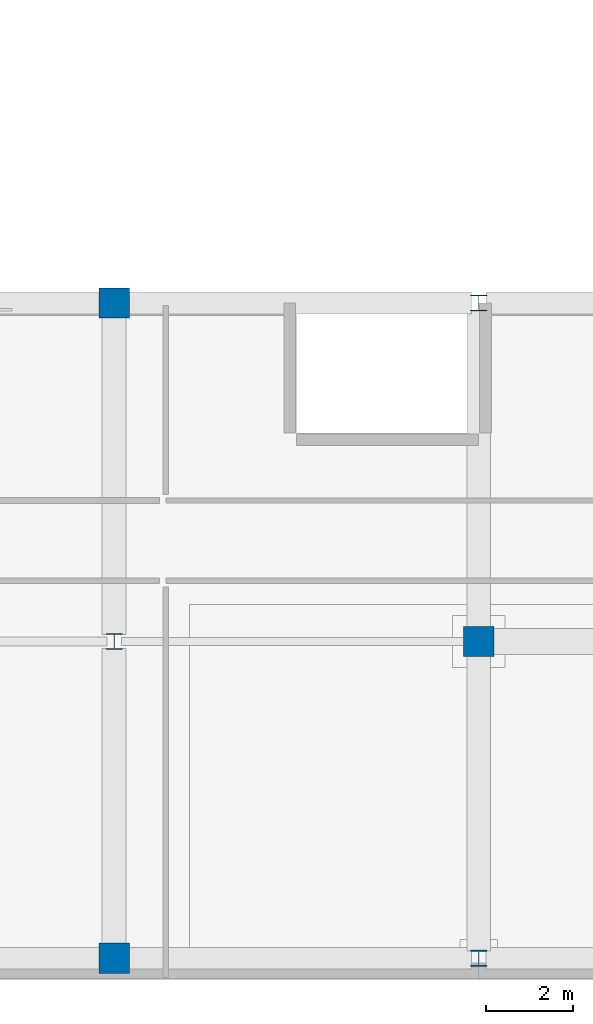
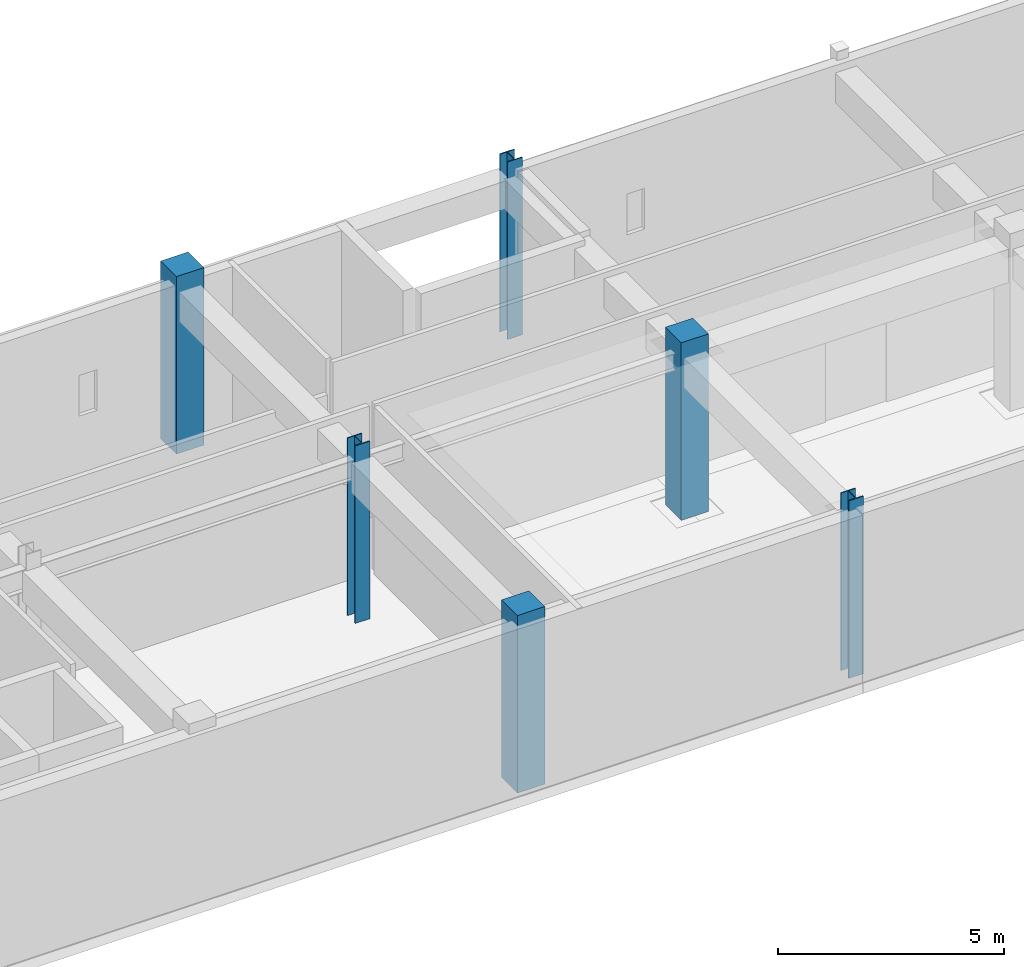
# One storey, part 2 of 123: 6 columns.
"""IFC4 building model written with IfcOpenShell, lengths in metres."""

from ifc_helpers import new_model, si_unit, direction, frame, origin, origin_2d, place, context, subcontext, project, spatial, rectangle, i_section, extrude, material, material_profile, profile_set, type_object, element, save


model = new_model("IFC4")

# Units and contexts
model_context = context("Model", 3, precision=1e-05, world=origin(), true_north=direction((0.0, 1.0)))
body_context = subcontext(model_context, "Body", "Model", "MODEL_VIEW")
ifc_project = project(units=[si_unit("LENGTHUNIT", "METRE"), si_unit("AREAUNIT", "SQUARE_METRE"), si_unit("VOLUMEUNIT", "CUBIC_METRE"), si_unit("PLANEANGLEUNIT", "RADIAN"), si_unit("MASSUNIT", "GRAM", prefix="KILO")], contexts=[model_context])

# Site, building, storey
site_placement = place(None, origin())
site = spatial("IfcSite", under=ifc_project, at=site_placement, CompositionType="ELEMENT")
building_placement = place(site_placement, origin())
building = spatial("IfcBuilding", under=site, at=building_placement, Name="Quendrovan Civic Courthouse", CompositionType="ELEMENT")
storey_placement = place(building_placement, frame((0.0, 0.0, 5.39990234375)))
storey = spatial("IfcBuildingStorey", under=building, at=storey_placement, Name="L02", CompositionType="ELEMENT", Elevation=5.39990234375)

# Columns
ifc_material_1 = material(Name="Concrete C45/55", Category="concrete")
ifc_material_profile_1 = material_profile(ifc_material_1, rectangle(XDim=0.699951171875, YDim=0.699951171875, at=origin_2d()), Name="RC-COL-700x700")
ifc_profile_set_1 = profile_set([ifc_material_profile_1], Name="Concrete C45/55")
column_type_1 = type_object("IfcColumnType", Name="COL-RC700", PredefinedType="COLUMN", material=ifc_profile_set_1)
for number, where, z_axis, x_axis, name in (
    (1, (50.39990234375, 0.5, 0.0), (0.0, 0.0, 1.0), (1.0, 0.0, 0.0), "L02 Column 7-A"),
    (2, (50.39990234375, 15.60009765625, 0.0), (0.0, 0.0, 1.0), (1.0, 0.0, 0.0), "L02 Column 7-C"),
    (3, (58.800048828125, 7.800048828125, 0.0), (0.0, 0.0, 1.0), (1.0, 0.0, 0.0), "L02 Column 8-B"),
):
    element("IfcColumn", number, at=place(storey_placement, frame(where, z_axis=z_axis, x_axis=x_axis)), inside=storey, type_object=column_type_1, Name=name, PredefinedType="COLUMN", context=body_context, shape_type="SweptSolid", body=[
        extrude(rectangle(XDim=0.699951171875, YDim=0.699951171875, at=origin_2d()), origin(), (0.0, 0.0, 1.0), 4.800048828125),
    ])
ifc_material_2 = material(Name="Steel ASTM A992 Grade 50", Category="steel")
ifc_material_profile_2 = material_profile(ifc_material_2, i_section(OverallWidth=0.3740234375, OverallDepth=0.3720703125, WebThickness=0.016357421875, FlangeThickness=0.026123046875, at=origin_2d()), Name="W14X132")
ifc_profile_set_2 = profile_set([ifc_material_profile_2], Name="Steel ASTM A992 Grade 50")
column_type_2 = type_object("IfcColumnType", Name="COL-STL-W14X132", PredefinedType="COLUMN", material=ifc_profile_set_2)
for number, where, z_axis, x_axis, name in (
    (4, (50.39990234375, 7.800048828125, 0.0), (0.0, 0.0, 1.0), (1.0, 0.0, 0.0), "L02 Column 7-B"),
    (5, (58.800048828125, 0.5, 0.0), (0.0, 0.0, 1.0), (1.0, 0.0, 0.0), "L02 Column 8-A"),
    (6, (58.800048828125, 15.60009765625, 0.0), (0.0, 0.0, 1.0), (1.0, 0.0, 0.0), "L02 Column 8-C"),
):
    element("IfcColumn", number, at=place(storey_placement, frame(where, z_axis=z_axis, x_axis=x_axis)), inside=storey, type_object=column_type_2, Name=name, PredefinedType="COLUMN", context=body_context, shape_type="SweptSolid", body=[
        extrude(i_section(OverallWidth=0.3740234375, OverallDepth=0.3720703125, WebThickness=0.016357421875, FlangeThickness=0.026123046875, at=origin_2d()), origin(), (0.0, 0.0, 1.0), 4.800048828125),
    ])

save(model, "model.ifc")
